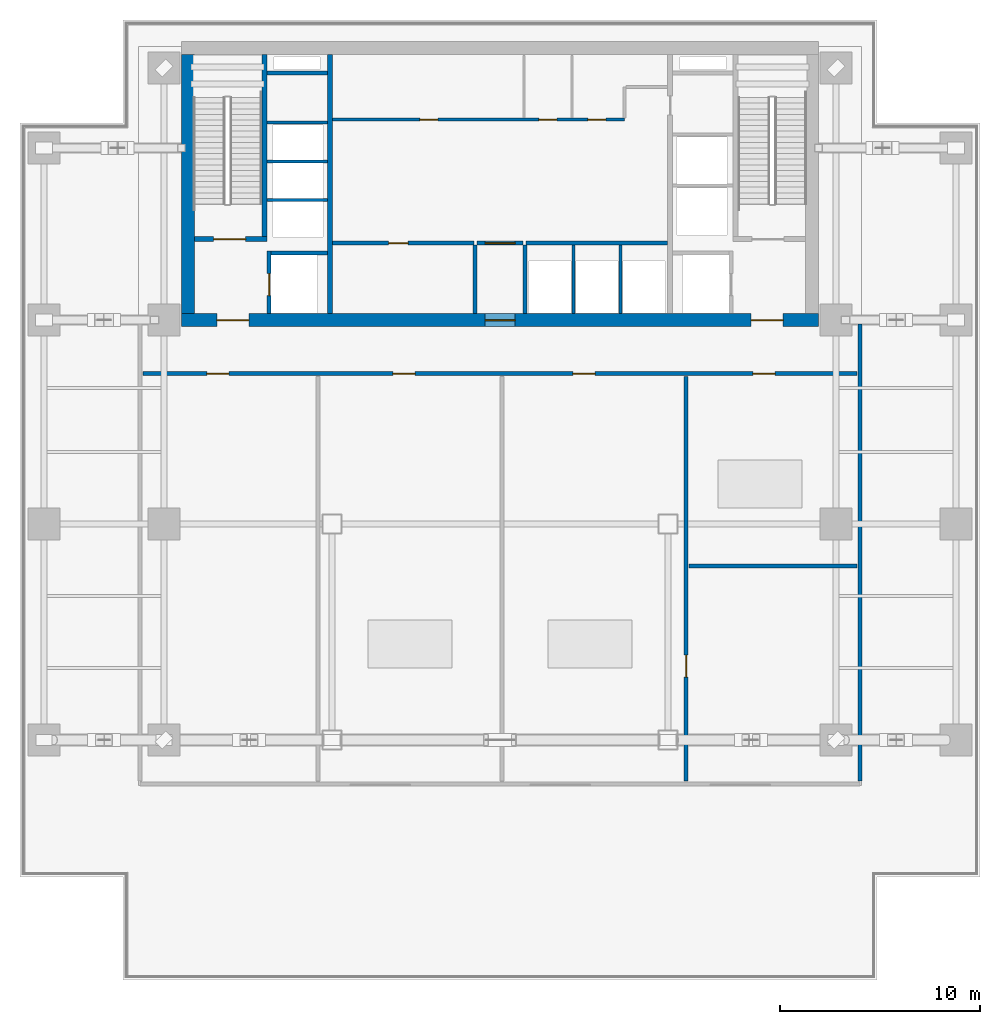
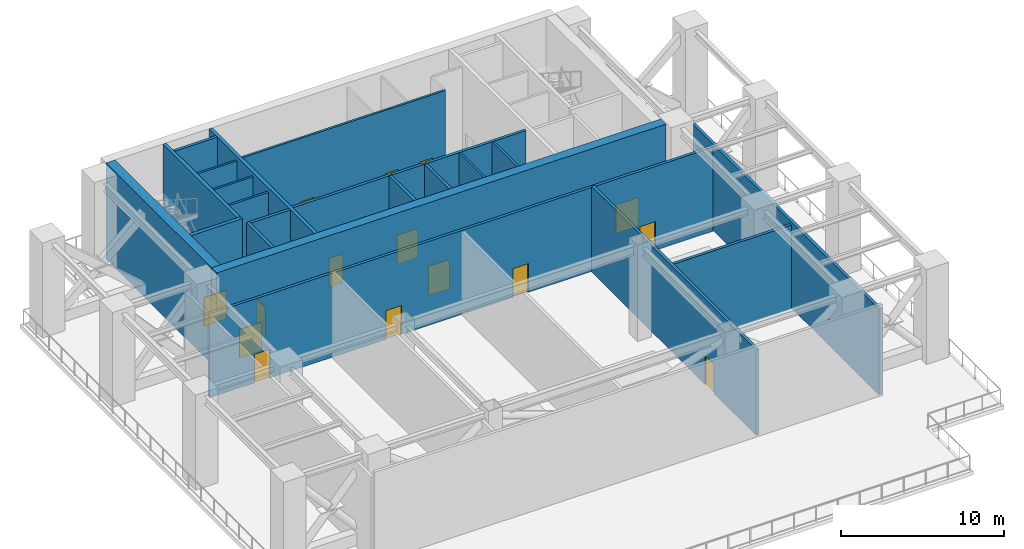
# One storey, part 3 of 8: 23 walls, 15 doors, 15 openings.
"""IFC4 building model written with IfcOpenShell, lengths in metres."""

from ifc_helpers import new_model, si_unit, direction, frame, frame_2d, origin, place, context, subcontext, project, spatial, rectangle, extrude, source, transform, mapped, material, layer, layer_set, type_object, element, fill, save


model = new_model("IFC4")

# Units and contexts
model_context = context("Model", 3, precision=1e-05, world=origin(), true_north=direction((0.0, 1.0)))
body_context = subcontext(model_context, "Body", "Model", "MODEL_VIEW")
ifc_project = project(units=[si_unit("LENGTHUNIT", "METRE"), si_unit("AREAUNIT", "SQUARE_METRE"), si_unit("VOLUMEUNIT", "CUBIC_METRE"), si_unit("PLANEANGLEUNIT", "RADIAN"), si_unit("MASSUNIT", "GRAM", prefix="KILO")], contexts=[model_context])

# Site, building, storey
site_placement = place(None, origin())
site = spatial("IfcSite", under=ifc_project, at=site_placement, CompositionType="ELEMENT")
building_placement = place(site_placement, origin())
building = spatial("IfcBuilding", under=site, at=building_placement, Name="Sumidabori Civic Tower", CompositionType="ELEMENT")
storey_placement = place(building_placement, frame((0.0, 0.0, 189.199951171875)))
storey = spatial("IfcBuildingStorey", under=building, at=storey_placement, Name="L49", CompositionType="ELEMENT", Elevation=189.199951171875)

# Wall, openings, doors
ifc_material_1 = material(Name="Concrete C60/75", Category="concrete")
ifc_layer_1 = layer(ifc_material_1, 0.64990234375, Name="Concrete C60/75")
ifc_layer_set_1 = layer_set([ifc_layer_1], Name="Concrete C60/75")
wall_type_1 = type_object("IfcWallType", Name="WL-CORE-650", PredefinedType="SHEAR", material=ifc_layer_set_1)
shared_shape_1 = source(origin(), body_context, "Body", "SweptSolid", [
    extrude(rectangle(XDim=31.85009765625, YDim=0.64990234375, at=frame_2d((15.925048828125, 0.0))), origin(), (0.0, 0.0, 1.0), 7.199951171875),
])
wall_1_placement = place(storey_placement, frame((-15.925048828125, 10.199951171875, 0.0), z_axis=(0.0, 0.0, 1.0), x_axis=(1.0, 0.0, 0.0)))
wall_1 = element("IfcWall", 1, at=wall_1_placement, inside=storey, type_object=wall_type_1, Name="Core Shear Wall L49 S", PredefinedType="SHEAR", context=body_context, shape_type="MappedRepresentation", body=[
    mapped(shared_shape_1, transform((0.0, 0.0, 0.0), x_axis=(1.0, 0.0, 0.0), y_axis=(0.0, 1.0, 0.0), z_axis=(0.0, 0.0, 1.0), scale=1.0)),
])
opening_1_placement = place(wall_1_placement, frame((1.77490234375, 0.0, 0.0)))
opening_1 = element("IfcOpeningElement", 2, at=opening_1_placement, cuts=wall_1, Name="Opening DR-FD4", PredefinedType="OPENING", context=body_context, shape_type="SweptSolid", body=[
    extrude(rectangle(XDim=1.60009765625, YDim=2.14990234375, at=frame_2d((0.800048828125, 1.074951171875))), frame((0.0, 0.3369140625, 0.0), z_axis=(0.0, -1.0, 0.0), x_axis=(1.0, 0.0, 0.0)), (0.0, 0.0, 1.0), 0.673828125),
])
opening_2_placement = place(wall_1_placement, frame((28.47509765625, 0.0, 0.0)))
opening_2 = element("IfcOpeningElement", 3, at=opening_2_placement, cuts=wall_1, Name="Opening DR-FD4", PredefinedType="OPENING", context=body_context, shape_type="SweptSolid", body=[
    extrude(rectangle(XDim=1.60009765625, YDim=2.14990234375, at=frame_2d((0.800048828125, 1.074951171875))), frame((0.0, 0.3369140625, 0.0), z_axis=(0.0, -1.0, 0.0), x_axis=(1.0, 0.0, 0.0)), (0.0, 0.0, 1.0), 0.673828125),
])
opening_3_placement = place(wall_1_placement, frame((15.175048828125, 0.0, 0.0)))
opening_3 = element("IfcOpeningElement", 4, at=opening_3_placement, cuts=wall_1, Name="Opening DR-FD3", PredefinedType="OPENING", context=body_context, shape_type="SweptSolid", body=[
    extrude(rectangle(XDim=1.5, YDim=2.199951171875, at=frame_2d((0.75, 1.10009765625))), frame((0.0, 0.3369140625, 0.0), z_axis=(0.0, -1.0, 0.0), x_axis=(1.0, 0.0, 0.0)), (0.0, 0.0, 1.0), 0.673828125),
])
ifc_material_2 = material(Name="Steel SN490", Category="steel")
door_type_1 = type_object("IfcDoorType", Name="DR-FD4", OperationType="DOUBLE_DOOR_SINGLE_SWING", PredefinedType="DOOR", material=ifc_material_2)
shared_shape_2 = source(origin(), body_context, "Body", "SweptSolid", [
    extrude(rectangle(XDim=1.60009765625, YDim=2.14990234375, at=frame_2d((0.800048828125, 1.074951171875))), frame((0.0, 0.02490234375, 0.0), z_axis=(0.0, -1.0, 0.0), x_axis=(1.0, 0.0, 0.0)), (0.0, 0.0, 1.0), 0.050048828125),
])
door_1_placement = place(opening_1_placement, origin())
door_1 = element("IfcDoor", 5, at=door_1_placement, inside=storey, type_object=door_type_1, Name="Door DR:L49:ELOB-W", OperationType="DOUBLE_DOOR_SINGLE_SWING", OverallHeight=2.14990234375, OverallWidth=1.60009765625, PredefinedType="DOOR", context=body_context, shape_type="MappedRepresentation", body=[
    mapped(shared_shape_2, transform((0.0, 0.0, 0.0), x_axis=(1.0, 0.0, 0.0), y_axis=(0.0, 1.0, 0.0), z_axis=(0.0, 0.0, 1.0), scale=1.0)),
])
fill(opening_1, door_1)
door_2_placement = place(opening_2_placement, origin())
door_2 = element("IfcDoor", 6, at=door_2_placement, inside=storey, type_object=door_type_1, Name="Door DR:L49:ELOB-E", OperationType="DOUBLE_DOOR_SINGLE_SWING", OverallHeight=2.14990234375, OverallWidth=1.60009765625, PredefinedType="DOOR", context=body_context, shape_type="MappedRepresentation", body=[
    mapped(shared_shape_2, transform((0.0, 0.0, 0.0), x_axis=(1.0, 0.0, 0.0), y_axis=(0.0, 1.0, 0.0), z_axis=(0.0, 0.0, 1.0), scale=1.0)),
])
fill(opening_2, door_2)
door_type_2 = type_object("IfcDoorType", Name="DR-FD-DBL", OperationType="DOUBLE_DOOR_SINGLE_SWING", PredefinedType="DOOR", material=ifc_material_2)
shared_shape_3 = source(origin(), body_context, "Body", "SweptSolid", [
    extrude(rectangle(XDim=1.5, YDim=2.199951171875, at=frame_2d((0.75, 1.10009765625))), frame((0.0, 0.02490234375, 0.0), z_axis=(0.0, -1.0, 0.0), x_axis=(1.0, 0.0, 0.0)), (0.0, 0.0, 1.0), 0.050048828125),
])
door_3_placement = place(opening_3_placement, origin())
door_3 = element("IfcDoor", 7, at=door_3_placement, inside=storey, type_object=door_type_2, Name="Door DR:L49:THROAT-OUT", OperationType="DOUBLE_DOOR_SINGLE_SWING", OverallHeight=2.199951171875, OverallWidth=1.5, PredefinedType="DOOR", context=body_context, shape_type="MappedRepresentation", body=[
    mapped(shared_shape_3, transform((0.0, 0.0, 0.0), x_axis=(1.0, 0.0, 0.0), y_axis=(0.0, 1.0, 0.0), z_axis=(0.0, 0.0, 1.0), scale=1.0)),
])
fill(opening_3, door_3)

# Walls
shared_shape_4 = source(origin(), body_context, "Body", "SweptSolid", [
    extrude(rectangle(XDim=12.9501953125, YDim=0.64990234375, at=frame_2d((6.47509765625, 0.0))), origin(), (0.0, 0.0, 1.0), 7.199951171875),
])
wall_2_placement = place(storey_placement, frame((-15.60009765625, 10.52490234375, 0.0), z_axis=(0.0, 0.0, 1.0), x_axis=(0.0, 1.0, 0.0)))
element("IfcWall", 8, at=wall_2_placement, inside=storey, type_object=wall_type_1, Name="Core Shear Wall L49 W", PredefinedType="SHEAR", context=body_context, shape_type="MappedRepresentation", body=[
    mapped(shared_shape_4, transform((0.0, 0.0, 0.0), x_axis=(1.0, 0.0, 0.0), y_axis=(0.0, 1.0, 0.0), z_axis=(0.0, 0.0, 1.0), scale=1.0)),
])
ifc_material_3 = material(Name="Concrete C50/60", Category="concrete")
ifc_layer_2 = layer(ifc_material_3, 0.25, Name="Concrete C50/60")
ifc_layer_set_2 = layer_set([ifc_layer_2], Name="Concrete C50/60")
wall_type_2 = type_object("IfcWallType", Name="WL-SHAFT-250", PredefinedType="SHEAR", material=ifc_layer_set_2)
shared_shape_5 = source(origin(), body_context, "Body", "SweptSolid", [
    extrude(rectangle(XDim=12.9501953125, YDim=0.25, at=frame_2d((6.47509765625, 0.0))), origin(), (0.0, 0.0, 1.0), 7.199951171875),
])
wall_3_placement = place(storey_placement, frame((-8.5, 10.52490234375, 0.0), z_axis=(0.0, 0.0, 1.0), x_axis=(0.0, 1.0, 0.0)))
element("IfcWall", 9, at=wall_3_placement, inside=storey, type_object=wall_type_2, Name="Core Shear Wall L49 WEB-W", PredefinedType="SHEAR", context=body_context, shape_type="MappedRepresentation", body=[
    mapped(shared_shape_5, transform((0.0, 0.0, 0.0), x_axis=(1.0, 0.0, 0.0), y_axis=(0.0, 1.0, 0.0), z_axis=(0.0, 0.0, 1.0), scale=1.0)),
])

# Wall, opening, door
shared_shape_6 = source(origin(), body_context, "Body", "SweptSolid", [
    extrude(rectangle(XDim=3.6298828125, YDim=0.25, at=frame_2d((1.81494140625, 0.0))), origin(), (0.0, 0.0, 1.0), 7.199951171875),
])
wall_4_placement = place(storey_placement, frame((-15.27490234375, 14.25, 0.0), z_axis=(0.0, 0.0, 1.0), x_axis=(1.0, 0.0, 0.0)))
wall_4 = element("IfcWall", 10, at=wall_4_placement, inside=storey, type_object=wall_type_2, Name="Core Shear Wall L49 ST1-S", PredefinedType="SHEAR", context=body_context, shape_type="MappedRepresentation", body=[
    mapped(shared_shape_6, transform((0.0, 0.0, 0.0), x_axis=(1.0, 0.0, 0.0), y_axis=(0.0, 1.0, 0.0), z_axis=(0.0, 0.0, 1.0), scale=1.0)),
])
opening_4_placement = place(wall_4_placement, frame((0.949951171875, 0.0, 0.0)))
opening_4 = element("IfcOpeningElement", 11, at=opening_4_placement, cuts=wall_4, Name="Opening DR-FD4", PredefinedType="OPENING", context=body_context, shape_type="SweptSolid", body=[
    extrude(rectangle(XDim=1.60009765625, YDim=2.14990234375, at=frame_2d((0.800048828125, 1.074951171875))), frame((0.0, 0.136962890625, 0.0), z_axis=(0.0, -1.0, 0.0), x_axis=(1.0, 0.0, 0.0)), (0.0, 0.0, 1.0), 0.27392578125),
])
door_4_placement = place(opening_4_placement, origin())
door_4 = element("IfcDoor", 12, at=door_4_placement, inside=storey, type_object=door_type_1, Name="Door DR:L49:ST1", OperationType="DOUBLE_DOOR_SINGLE_SWING", OverallHeight=2.14990234375, OverallWidth=1.60009765625, PredefinedType="DOOR", context=body_context, shape_type="MappedRepresentation", body=[
    mapped(shared_shape_2, transform((0.0, 0.0, 0.0), x_axis=(1.0, 0.0, 0.0), y_axis=(0.0, 1.0, 0.0), z_axis=(0.0, 0.0, 1.0), scale=1.0)),
])
fill(opening_4, door_4)

# Wall
shared_shape_7 = source(origin(), body_context, "Body", "SweptSolid", [
    extrude(rectangle(XDim=9.10009765625, YDim=0.25, at=frame_2d((4.550048828125, 0.0))), origin(), (0.0, 0.0, 1.0), 7.199951171875),
])
wall_5_placement = place(storey_placement, frame((-11.77001953125, 14.375, 0.0), z_axis=(0.0, 0.0, 1.0), x_axis=(0.0, 1.0, 0.0)))
element("IfcWall", 13, at=wall_5_placement, inside=storey, type_object=wall_type_2, Name="Core Shear Wall L49 ST1-E", PredefinedType="SHEAR", context=body_context, shape_type="MappedRepresentation", body=[
    mapped(shared_shape_7, transform((0.0, 0.0, 0.0), x_axis=(1.0, 0.0, 0.0), y_axis=(0.0, 1.0, 0.0), z_axis=(0.0, 0.0, 1.0), scale=1.0)),
])

# Wall, opening, door
ifc_layer_3 = layer(ifc_material_3, 0.199951171875, Name="Concrete C50/60")
ifc_layer_set_3 = layer_set([ifc_layer_3], Name="Concrete C50/60")
wall_type_3 = type_object("IfcWallType", Name="WL-SHAFT-200", PredefinedType="SHEAR", material=ifc_layer_set_3)
shared_shape_8 = source(origin(), body_context, "Body", "SweptSolid", [
    extrude(rectangle(XDim=3.125, YDim=0.199951171875, at=frame_2d((1.5625, 0.0))), origin(), (0.0, 0.0, 1.0), 7.199951171875),
])
wall_6_placement = place(storey_placement, frame((-11.550048828125, 10.52490234375, 0.0), z_axis=(0.0, 0.0, 1.0), x_axis=(0.0, 1.0, 0.0)))
wall_6 = element("IfcWall", 14, at=wall_6_placement, inside=storey, type_object=wall_type_3, Name="Core Shear Wall L49 EL1-W", PredefinedType="SHEAR", context=body_context, shape_type="MappedRepresentation", body=[
    mapped(shared_shape_8, transform((0.0, 0.0, 0.0), x_axis=(1.0, 0.0, 0.0), y_axis=(0.0, 1.0, 0.0), z_axis=(0.0, 0.0, 1.0), scale=1.0)),
])
opening_5_placement = place(wall_6_placement, frame((0.89990234375, 0.0, 0.0)))
opening_5 = element("IfcOpeningElement", 15, at=opening_5_placement, cuts=wall_6, Name="Opening LD-2", PredefinedType="OPENING", context=body_context, shape_type="SweptSolid", body=[
    extrude(rectangle(XDim=1.10009765625, YDim=2.14990234375, at=frame_2d((0.550048828125, 1.074951171875))), frame((0.0, 0.11181640625, 0.0), z_axis=(0.0, -1.0, 0.0), x_axis=(1.0, 0.0, 0.0)), (0.0, 0.0, 1.0), 0.223876953125),
])
ifc_material_4 = material(Name="Stainless Steel Hairline Finish", Category="steel")
door_type_3 = type_object("IfcDoorType", Name="DR-LD2", OperationType="DOUBLE_DOOR_SLIDING", PredefinedType="DOOR", material=ifc_material_4)
shared_shape_9 = source(origin(), body_context, "Body", "SweptSolid", [
    extrude(rectangle(XDim=1.10009765625, YDim=2.14990234375, at=frame_2d((0.550048828125, 1.074951171875))), frame((0.0, 0.02490234375, 0.0), z_axis=(0.0, -1.0, 0.0), x_axis=(1.0, 0.0, 0.0)), (0.0, 0.0, 1.0), 0.050048828125),
])
door_5_placement = place(opening_5_placement, origin())
door_5 = element("IfcDoor", 16, at=door_5_placement, inside=storey, type_object=door_type_3, Name="Door DR:L49:LD-EL1", OperationType="DOUBLE_DOOR_SLIDING", OverallHeight=2.14990234375, OverallWidth=1.10009765625, PredefinedType="DOOR", context=body_context, shape_type="MappedRepresentation", body=[
    mapped(shared_shape_9, transform((0.0, 0.0, 0.0), x_axis=(1.0, 0.0, 0.0), y_axis=(0.0, 1.0, 0.0), z_axis=(0.0, 0.0, 1.0), scale=1.0)),
])
fill(opening_5, door_5)

# Walls
shared_shape_10 = source(origin(), body_context, "Body", "SweptSolid", [
    extrude(rectangle(XDim=2.824951171875, YDim=0.199951171875, at=frame_2d((1.41259765625, 0.0))), origin(), (0.0, 0.0, 1.0), 7.199951171875),
])
wall_7_placement = place(storey_placement, frame((-11.449951171875, 13.550048828125, 0.0), z_axis=(0.0, 0.0, 1.0), x_axis=(1.0, 0.0, 0.0)))
element("IfcWall", 17, at=wall_7_placement, inside=storey, type_object=wall_type_3, Name="Core Shear Wall L49 EL1-N", PredefinedType="SHEAR", context=body_context, shape_type="MappedRepresentation", body=[
    mapped(shared_shape_10, transform((0.0, 0.0, 0.0), x_axis=(1.0, 0.0, 0.0), y_axis=(0.0, 1.0, 0.0), z_axis=(0.0, 0.0, 1.0), scale=1.0)),
])
shared_shape_11 = source(origin(), body_context, "Body", "SweptSolid", [
    extrude(rectangle(XDim=3.02001953125, YDim=0.199951171875, at=frame_2d((1.510009765625, 0.0))), origin(), (0.0, 0.0, 1.0), 7.199951171875),
])
wall_8_placement = place(storey_placement, frame((-11.64501953125, 22.550048828125, 0.0), z_axis=(0.0, 0.0, 1.0), x_axis=(1.0, 0.0, 0.0)))
element("IfcWall", 18, at=wall_8_placement, inside=storey, type_object=wall_type_3, Name="Core Shear Wall L49 RIS1-S", PredefinedType="SHEAR", context=body_context, shape_type="MappedRepresentation", body=[
    mapped(shared_shape_11, transform((0.0, 0.0, 0.0), x_axis=(1.0, 0.0, 0.0), y_axis=(0.0, 1.0, 0.0), z_axis=(0.0, 0.0, 1.0), scale=1.0)),
])
ifc_material_5 = material(Name="Gypsum Plasterboard Acoustic Partition")
ifc_layer_4 = layer(ifc_material_5, 0.14990234375, Name="Gypsum Plasterboard Acoustic Partition")
ifc_layer_set_4 = layer_set([ifc_layer_4], Name="Gypsum Plasterboard Acoustic Partition")
wall_type_4 = type_object("IfcWallType", Name="WL-PART-150", PredefinedType="PARTITIONING", material=ifc_layer_set_4)
shared_shape_12 = source(origin(), body_context, "Body", "SweptSolid", [
    extrude(rectangle(XDim=3.010009765625, YDim=0.14990234375, at=frame_2d((1.5048828125, 0.0))), origin(), (0.0, 0.0, 1.0), 6.900146484375),
])
for number, where, z_axis, x_axis, name in (
    (19, (-11.639892578125, 16.199951171875, 0.0), (0.0, 0.0, 1.0), (1.0, 0.0, 0.0), "Interior Partition WL:L49:DIV-PLH1"),
    (20, (-11.639892578125, 18.1201171875, 0.0), (0.0, 0.0, 1.0), (1.0, 0.0, 0.0), "Interior Partition WL:L49:DIV-PLH2"),
    (21, (-11.639892578125, 20.080078125, 0.0), (0.0, 0.0, 1.0), (1.0, 0.0, 0.0), "Interior Partition WL:L49:DIV-PLH3"),
):
    element("IfcWall", number, at=place(storey_placement, frame(where, z_axis=z_axis, x_axis=x_axis)), inside=storey, type_object=wall_type_4, Name=name, PredefinedType="PARTITIONING", context=body_context, shape_type="MappedRepresentation", body=[
        mapped(shared_shape_12, transform((0.0, 0.0, 0.0), x_axis=(1.0, 0.0, 0.0), y_axis=(0.0, 1.0, 0.0), z_axis=(0.0, 0.0, 1.0), scale=1.0)),
    ])

# Wall, opening, door
ifc_material_6 = material(Name="Gypsum Plasterboard Fire Partition")
ifc_layer_5 = layer(ifc_material_6, 0.199951171875, Name="Gypsum Plasterboard Fire Partition")
ifc_layer_set_5 = layer_set([ifc_layer_5], Name="Gypsum Plasterboard Fire Partition")
wall_type_5 = type_object("IfcWallType", Name="WL-PART-FIRE", PredefinedType="PARTITIONING", material=ifc_layer_set_5)
shared_shape_13 = source(origin(), body_context, "Body", "SweptSolid", [
    extrude(rectangle(XDim=7.070068359375, YDim=0.199951171875, at=frame_2d((3.53515625, 0.0))), origin(), (0.0, 0.0, 1.0), 6.900146484375),
])
wall_9_placement = place(storey_placement, frame((-8.3701171875, 14.050048828125, 0.0), z_axis=(0.0, 0.0, 1.0), x_axis=(1.0, 0.0, 0.0)))
wall_9 = element("IfcWall", 22, at=wall_9_placement, inside=storey, type_object=wall_type_5, Name="Interior Partition WL:L49:CBAND-SW", PredefinedType="PARTITIONING", context=body_context, shape_type="MappedRepresentation", body=[
    mapped(shared_shape_13, transform((0.0, 0.0, 0.0), x_axis=(1.0, 0.0, 0.0), y_axis=(0.0, 1.0, 0.0), z_axis=(0.0, 0.0, 1.0), scale=1.0)),
])
opening_6_placement = place(wall_9_placement, frame((2.800048828125, 0.0, 0.0)))
opening_6 = element("IfcOpeningElement", 23, at=opening_6_placement, cuts=wall_9, Name="Opening DR-3", PredefinedType="OPENING", context=body_context, shape_type="SweptSolid", body=[
    extrude(rectangle(XDim=0.97998046875, YDim=2.14990234375, at=frame_2d((0.489990234375, 1.074951171875))), frame((0.0, 0.11181640625, 0.0), z_axis=(0.0, -1.0, 0.0), x_axis=(1.0, 0.0, 0.0)), (0.0, 0.0, 1.0), 0.223876953125),
])
ifc_material_7 = material(Name="Japanese Hinoki Timber", Category="wood")
door_type_4 = type_object("IfcDoorType", Name="DR-INT-980", OperationType="NOTDEFINED", PredefinedType="DOOR", material=ifc_material_7)
shared_shape_14 = source(origin(), body_context, "Body", "SweptSolid", [
    extrude(rectangle(XDim=0.97998046875, YDim=2.14990234375, at=frame_2d((0.489990234375, 1.074951171875))), frame((0.0, 0.02490234375, 0.0), z_axis=(0.0, -1.0, 0.0), x_axis=(1.0, 0.0, 0.0)), (0.0, 0.0, 1.0), 0.050048828125),
])
door_6_placement = place(opening_6_placement, origin())
door_6 = element("IfcDoor", 24, at=door_6_placement, inside=storey, type_object=door_type_4, Name="Door DR:L49:REC-B1", OperationType="SINGLE_SWING_LEFT", OverallHeight=2.14990234375, OverallWidth=0.97998046875, PredefinedType="DOOR", context=body_context, shape_type="MappedRepresentation", body=[
    mapped(shared_shape_14, transform((0.0, 0.0, 0.0), x_axis=(1.0, 0.0, 0.0), y_axis=(0.0, 1.0, 0.0), z_axis=(0.0, 0.0, 1.0), scale=1.0)),
])
fill(opening_6, door_6)

# Wall
wall_10_placement = place(storey_placement, frame((1.300048828125, 14.050048828125, 0.0), z_axis=(0.0, 0.0, 1.0), x_axis=(1.0, 0.0, 0.0)))
element("IfcWall", 25, at=wall_10_placement, inside=storey, type_object=wall_type_5, Name="Interior Partition WL:L49:CBAND-SE", PredefinedType="PARTITIONING", context=body_context, shape_type="MappedRepresentation", body=[
    mapped(shared_shape_13, transform((0.0, 0.0, 0.0), x_axis=(1.0, 0.0, 0.0), y_axis=(0.0, 1.0, 0.0), z_axis=(0.0, 0.0, 1.0), scale=1.0)),
])

# Wall, opening, door
shared_shape_15 = source(origin(), body_context, "Body", "SweptSolid", [
    extrude(rectangle(XDim=2.2998046875, YDim=0.199951171875, at=frame_2d((1.14990234375, 0.0))), origin(), (0.0, 0.0, 1.0), 6.900146484375),
])
wall_11_placement = place(storey_placement, frame((-1.14990234375, 14.050048828125, 0.0), z_axis=(0.0, 0.0, 1.0), x_axis=(1.0, 0.0, 0.0)))
wall_11 = element("IfcWall", 26, at=wall_11_placement, inside=storey, type_object=wall_type_5, Name="Interior Partition WL:L49:THROAT-N", PredefinedType="PARTITIONING", context=body_context, shape_type="MappedRepresentation", body=[
    mapped(shared_shape_15, transform((0.0, 0.0, 0.0), x_axis=(1.0, 0.0, 0.0), y_axis=(0.0, 1.0, 0.0), z_axis=(0.0, 0.0, 1.0), scale=1.0)),
])
opening_7_placement = place(wall_11_placement, frame((0.39990234375, 0.0, 0.0)))
opening_7 = element("IfcOpeningElement", 27, at=opening_7_placement, cuts=wall_11, Name="Opening DR-FD3", PredefinedType="OPENING", context=body_context, shape_type="SweptSolid", body=[
    extrude(rectangle(XDim=1.5, YDim=2.199951171875, at=frame_2d((0.75, 1.10009765625))), frame((0.0, 0.11181640625, 0.0), z_axis=(0.0, -1.0, 0.0), x_axis=(1.0, 0.0, 0.0)), (0.0, 0.0, 1.0), 0.223876953125),
])
door_7_placement = place(opening_7_placement, origin())
door_7 = element("IfcDoor", 28, at=door_7_placement, inside=storey, type_object=door_type_2, Name="Door DR:L49:THROAT-IN", OperationType="DOUBLE_DOOR_SINGLE_SWING", OverallHeight=2.199951171875, OverallWidth=1.5, PredefinedType="DOOR", context=body_context, shape_type="MappedRepresentation", body=[
    mapped(shared_shape_3, transform((0.0, 0.0, 0.0), x_axis=(1.0, 0.0, 0.0), y_axis=(0.0, 1.0, 0.0), z_axis=(0.0, 0.0, 1.0), scale=1.0)),
])
fill(opening_7, door_7)

# Wall, openings, doors
shared_shape_16 = source(origin(), body_context, "Body", "SweptSolid", [
    extrude(rectangle(XDim=14.590087890625, YDim=0.14990234375, at=frame_2d((7.294921875, 0.0))), origin(), (0.0, 0.0, 1.0), 6.900146484375),
])
wall_12_placement = place(storey_placement, frame((-8.3701171875, 20.219970703125, 0.0), z_axis=(0.0, 0.0, 1.0), x_axis=(1.0, 0.0, 0.0)))
wall_12 = element("IfcWall", 29, at=wall_12_placement, inside=storey, type_object=wall_type_4, Name="Interior Partition WL:L49:CBAND-M", PredefinedType="PARTITIONING", context=body_context, shape_type="MappedRepresentation", body=[
    mapped(shared_shape_16, transform((0.0, 0.0, 0.0), x_axis=(1.0, 0.0, 0.0), y_axis=(0.0, 1.0, 0.0), z_axis=(0.0, 0.0, 1.0), scale=1.0)),
])
opening_8_placement = place(wall_12_placement, frame((4.360107421875, 0.0, 0.0)))
opening_8 = element("IfcOpeningElement", 30, at=opening_8_placement, cuts=wall_12, Name="Opening DR-1", PredefinedType="OPENING", context=body_context, shape_type="SweptSolid", body=[
    extrude(rectangle(XDim=0.89990234375, YDim=2.14990234375, at=frame_2d((0.449951171875, 1.074951171875))), frame((0.0, 0.0869140625, 0.0), z_axis=(0.0, -1.0, 0.0), x_axis=(1.0, 0.0, 0.0)), (0.0, 0.0, 1.0), 0.173828125),
])
opening_9_placement = place(wall_12_placement, frame((10.320068359375, 0.0, 0.0)))
opening_9 = element("IfcOpeningElement", 31, at=opening_9_placement, cuts=wall_12, Name="Opening DR-1", PredefinedType="OPENING", context=body_context, shape_type="SweptSolid", body=[
    extrude(rectangle(XDim=0.89990234375, YDim=2.14990234375, at=frame_2d((0.449951171875, 1.074951171875))), frame((0.0, 0.0869140625, 0.0), z_axis=(0.0, -1.0, 0.0), x_axis=(1.0, 0.0, 0.0)), (0.0, 0.0, 1.0), 0.173828125),
])
opening_10_placement = place(wall_12_placement, frame((12.77001953125, 0.0, 0.0)))
opening_10 = element("IfcOpeningElement", 32, at=opening_10_placement, cuts=wall_12, Name="Opening DR-1", PredefinedType="OPENING", context=body_context, shape_type="SweptSolid", body=[
    extrude(rectangle(XDim=0.89990234375, YDim=2.14990234375, at=frame_2d((0.449951171875, 1.074951171875))), frame((0.0, 0.0869140625, 0.0), z_axis=(0.0, -1.0, 0.0), x_axis=(1.0, 0.0, 0.0)), (0.0, 0.0, 1.0), 0.173828125),
])
door_type_5 = type_object("IfcDoorType", Name="DR-INT-900", OperationType="NOTDEFINED", PredefinedType="DOOR", material=ifc_material_7)
shared_shape_17 = source(origin(), body_context, "Body", "SweptSolid", [
    extrude(rectangle(XDim=0.89990234375, YDim=2.14990234375, at=frame_2d((0.449951171875, 1.074951171875))), frame((0.0, 0.02490234375, 0.0), z_axis=(0.0, -1.0, 0.0), x_axis=(1.0, 0.0, 0.0)), (0.0, 0.0, 1.0), 0.050048828125),
])
door_8_placement = place(opening_8_placement, origin())
door_8 = element("IfcDoor", 33, at=door_8_placement, inside=storey, type_object=door_type_5, Name="Door DR:L49:CB-1", OperationType="SINGLE_SWING_LEFT", OverallHeight=2.14990234375, OverallWidth=0.89990234375, PredefinedType="DOOR", context=body_context, shape_type="MappedRepresentation", body=[
    mapped(shared_shape_17, transform((0.0, 0.0, 0.0), x_axis=(1.0, 0.0, 0.0), y_axis=(0.0, 1.0, 0.0), z_axis=(0.0, 0.0, 1.0), scale=1.0)),
])
fill(opening_8, door_8)
door_9_placement = place(opening_9_placement, origin())
door_9 = element("IfcDoor", 34, at=door_9_placement, inside=storey, type_object=door_type_5, Name="Door DR:L49:CB-2", OperationType="SINGLE_SWING_RIGHT", OverallHeight=2.14990234375, OverallWidth=0.89990234375, PredefinedType="DOOR", context=body_context, shape_type="MappedRepresentation", body=[
    mapped(shared_shape_17, transform((0.0, 0.0, 0.0), x_axis=(1.0, 0.0, 0.0), y_axis=(0.0, 1.0, 0.0), z_axis=(0.0, 0.0, 1.0), scale=1.0)),
])
fill(opening_9, door_9)
door_10_placement = place(opening_10_placement, origin())
door_10 = element("IfcDoor", 35, at=door_10_placement, inside=storey, type_object=door_type_5, Name="Door DR:L49:CB-3", OperationType="SINGLE_SWING_LEFT", OverallHeight=2.14990234375, OverallWidth=0.89990234375, PredefinedType="DOOR", context=body_context, shape_type="MappedRepresentation", body=[
    mapped(shared_shape_17, transform((0.0, 0.0, 0.0), x_axis=(1.0, 0.0, 0.0), y_axis=(0.0, 1.0, 0.0), z_axis=(0.0, 0.0, 1.0), scale=1.0)),
])
fill(opening_10, door_10)

shared_shape_18 = source(origin(), body_context, "Body", "SweptSolid", [
    extrude(rectangle(XDim=35.7001953125, YDim=0.199951171875, at=frame_2d((17.85009765625, 0.0))), origin(), (0.0, 0.0, 1.0), 6.28515625),
])
wall_13_placement = place(storey_placement, frame((-17.85009765625, 7.52001953125, 0.0), z_axis=(0.0, 0.0, 1.0), x_axis=(1.0, 0.0, 0.0)))
wall_13 = element("IfcWall", 36, at=wall_13_placement, inside=storey, type_object=wall_type_5, Name="Interior Partition WL:L49:PCORR-S", PredefinedType="PARTITIONING", context=body_context, shape_type="MappedRepresentation", body=[
    mapped(shared_shape_18, transform((0.0, 0.0, 0.0), x_axis=(1.0, 0.0, 0.0), y_axis=(0.0, 1.0, 0.0), z_axis=(0.0, 0.0, 1.0), scale=1.0)),
])
opening_11_placement = place(wall_13_placement, frame((3.199951171875, 0.0, 0.0)))
opening_11 = element("IfcOpeningElement", 37, at=opening_11_placement, cuts=wall_13, Name="Opening DR-FD1", PredefinedType="OPENING", context=body_context, shape_type="SweptSolid", body=[
    extrude(rectangle(XDim=1.10009765625, YDim=2.14990234375, at=frame_2d((0.550048828125, 1.074951171875))), frame((0.0, 0.11181640625, 0.0), z_axis=(0.0, -1.0, 0.0), x_axis=(1.0, 0.0, 0.0)), (0.0, 0.0, 1.0), 0.223876953125),
])
opening_12_placement = place(wall_13_placement, frame((12.5, 0.0, 0.0)))
opening_12 = element("IfcOpeningElement", 38, at=opening_12_placement, cuts=wall_13, Name="Opening DR-FD1", PredefinedType="OPENING", context=body_context, shape_type="SweptSolid", body=[
    extrude(rectangle(XDim=1.10009765625, YDim=2.14990234375, at=frame_2d((0.550048828125, 1.074951171875))), frame((0.0, 0.11181640625, 0.0), z_axis=(0.0, -1.0, 0.0), x_axis=(1.0, 0.0, 0.0)), (0.0, 0.0, 1.0), 0.223876953125),
])
opening_13_placement = place(wall_13_placement, frame((21.5, 0.0, 0.0)))
opening_13 = element("IfcOpeningElement", 39, at=opening_13_placement, cuts=wall_13, Name="Opening DR-FD1", PredefinedType="OPENING", context=body_context, shape_type="SweptSolid", body=[
    extrude(rectangle(XDim=1.10009765625, YDim=2.14990234375, at=frame_2d((0.550048828125, 1.074951171875))), frame((0.0, 0.11181640625, 0.0), z_axis=(0.0, -1.0, 0.0), x_axis=(1.0, 0.0, 0.0)), (0.0, 0.0, 1.0), 0.223876953125),
])
opening_14_placement = place(wall_13_placement, frame((30.5, 0.0, 0.0)))
opening_14 = element("IfcOpeningElement", 40, at=opening_14_placement, cuts=wall_13, Name="Opening DR-FD1", PredefinedType="OPENING", context=body_context, shape_type="SweptSolid", body=[
    extrude(rectangle(XDim=1.10009765625, YDim=2.14990234375, at=frame_2d((0.550048828125, 1.074951171875))), frame((0.0, 0.11181640625, 0.0), z_axis=(0.0, -1.0, 0.0), x_axis=(1.0, 0.0, 0.0)), (0.0, 0.0, 1.0), 0.223876953125),
])
door_type_6 = type_object("IfcDoorType", Name="DR-FD1", OperationType="NOTDEFINED", PredefinedType="DOOR", material=ifc_material_2)
shared_shape_19 = source(origin(), body_context, "Body", "SweptSolid", [
    extrude(rectangle(XDim=1.10009765625, YDim=2.14990234375, at=frame_2d((0.550048828125, 1.074951171875))), frame((0.0, 0.02490234375, 0.0), z_axis=(0.0, -1.0, 0.0), x_axis=(1.0, 0.0, 0.0)), (0.0, 0.0, 1.0), 0.050048828125),
])
door_11_placement = place(opening_11_placement, origin())
door_11 = element("IfcDoor", 41, at=door_11_placement, inside=storey, type_object=door_type_6, Name="Door DR:L49:PL-1", OperationType="SINGLE_SWING_LEFT", OverallHeight=2.14990234375, OverallWidth=1.10009765625, PredefinedType="DOOR", context=body_context, shape_type="MappedRepresentation", body=[
    mapped(shared_shape_19, transform((0.0, 0.0, 0.0), x_axis=(1.0, 0.0, 0.0), y_axis=(0.0, 1.0, 0.0), z_axis=(0.0, 0.0, 1.0), scale=1.0)),
])
fill(opening_11, door_11)
door_12_placement = place(opening_12_placement, origin())
door_12 = element("IfcDoor", 42, at=door_12_placement, inside=storey, type_object=door_type_6, Name="Door DR:L49:PL-2", OperationType="SINGLE_SWING_RIGHT", OverallHeight=2.14990234375, OverallWidth=1.10009765625, PredefinedType="DOOR", context=body_context, shape_type="MappedRepresentation", body=[
    mapped(shared_shape_19, transform((0.0, 0.0, 0.0), x_axis=(1.0, 0.0, 0.0), y_axis=(0.0, 1.0, 0.0), z_axis=(0.0, 0.0, 1.0), scale=1.0)),
])
fill(opening_12, door_12)
door_13_placement = place(opening_13_placement, origin())
door_13 = element("IfcDoor", 43, at=door_13_placement, inside=storey, type_object=door_type_6, Name="Door DR:L49:PL-3", OperationType="SINGLE_SWING_LEFT", OverallHeight=2.14990234375, OverallWidth=1.10009765625, PredefinedType="DOOR", context=body_context, shape_type="MappedRepresentation", body=[
    mapped(shared_shape_19, transform((0.0, 0.0, 0.0), x_axis=(1.0, 0.0, 0.0), y_axis=(0.0, 1.0, 0.0), z_axis=(0.0, 0.0, 1.0), scale=1.0)),
])
fill(opening_13, door_13)
door_14_placement = place(opening_14_placement, origin())
door_14 = element("IfcDoor", 44, at=door_14_placement, inside=storey, type_object=door_type_6, Name="Door DR:L49:PL-4", OperationType="SINGLE_SWING_RIGHT", OverallHeight=2.14990234375, OverallWidth=1.10009765625, PredefinedType="DOOR", context=body_context, shape_type="MappedRepresentation", body=[
    mapped(shared_shape_19, transform((0.0, 0.0, 0.0), x_axis=(1.0, 0.0, 0.0), y_axis=(0.0, 1.0, 0.0), z_axis=(0.0, 0.0, 1.0), scale=1.0)),
])
fill(opening_14, door_14)

# Walls
shared_shape_20 = source(origin(), body_context, "Body", "SweptSolid", [
    extrude(rectangle(XDim=8.400146484375, YDim=0.199951171875, at=frame_2d((4.2001953125, 0.0))), origin(), (0.0, 0.0, 1.0), 6.28515625),
])
wall_14_placement = place(storey_placement, frame((9.449951171875, -2.10009765625, 0.0), z_axis=(0.0, 0.0, 1.0), x_axis=(1.0, 0.0, 0.0)))
element("IfcWall", 45, at=wall_14_placement, inside=storey, type_object=wall_type_5, Name="Interior Partition WL:L49:PDIV-4", PredefinedType="PARTITIONING", context=body_context, shape_type="MappedRepresentation", body=[
    mapped(shared_shape_20, transform((0.0, 0.0, 0.0), x_axis=(1.0, 0.0, 0.0), y_axis=(0.0, 1.0, 0.0), z_axis=(0.0, 0.0, 1.0), scale=1.0)),
])
shared_shape_21 = source(origin(), body_context, "Body", "SweptSolid", [
    extrude(rectangle(XDim=3.4150390625, YDim=0.199951171875, at=frame_2d((1.70751953125, 0.0))), origin(), (0.0, 0.0, 1.0), 6.900146484375),
])
for number, where, z_axis, x_axis, name in (
    (46, (-1.25, 10.52490234375, 0.0), (0.0, 0.0, 1.0), (0.0, 1.0, 0.0), "Interior Partition WL:L49:THROAT-W"),
    (47, (1.25, 10.52490234375, 0.0), (0.0, 0.0, 1.0), (0.0, 1.0, 0.0), "Interior Partition WL:L49:THROAT-E"),
):
    element("IfcWall", number, at=place(storey_placement, frame(where, z_axis=z_axis, x_axis=x_axis)), inside=storey, type_object=wall_type_5, Name=name, PredefinedType="PARTITIONING", context=body_context, shape_type="MappedRepresentation", body=[
        mapped(shared_shape_21, transform((0.0, 0.0, 0.0), x_axis=(1.0, 0.0, 0.0), y_axis=(0.0, 1.0, 0.0), z_axis=(0.0, 0.0, 1.0), scale=1.0)),
    ])
shared_shape_22 = source(origin(), body_context, "Body", "SweptSolid", [
    extrude(rectangle(XDim=3.4150390625, YDim=0.14990234375, at=frame_2d((1.70751953125, 0.0))), origin(), (0.0, 0.0, 1.0), 6.900146484375),
])
for number, where, z_axis, x_axis, name in (
    (48, (3.669921875, 10.52490234375, 0.0), (0.0, 0.0, 1.0), (0.0, 1.0, 0.0), "Interior Partition WL:L49:DIV-PLM1"),
    (49, (6.02001953125, 10.52490234375, 0.0), (0.0, 0.0, 1.0), (0.0, 1.0, 0.0), "Interior Partition WL:L49:DIV-PLM2"),
):
    element("IfcWall", number, at=place(storey_placement, frame(where, z_axis=z_axis, x_axis=x_axis)), inside=storey, type_object=wall_type_4, Name=name, PredefinedType="PARTITIONING", context=body_context, shape_type="MappedRepresentation", body=[
        mapped(shared_shape_22, transform((0.0, 0.0, 0.0), x_axis=(1.0, 0.0, 0.0), y_axis=(0.0, 1.0, 0.0), z_axis=(0.0, 0.0, 1.0), scale=1.0)),
    ])
shared_shape_23 = source(origin(), body_context, "Body", "SweptSolid", [
    extrude(rectangle(XDim=22.85009765625, YDim=0.199951171875, at=frame_2d((11.425048828125, 0.0))), origin(), (0.0, 0.0, 1.0), 6.43505859375),
])
wall_15_placement = place(storey_placement, frame((18.0, -12.85009765625, 0.0), z_axis=(0.0, 0.0, 1.0), x_axis=(0.0, 1.0, 0.0)))
element("IfcWall", 50, at=wall_15_placement, inside=storey, type_object=wall_type_5, Name="Interior Partition WL:L49:PL-E", PredefinedType="PARTITIONING", context=body_context, shape_type="MappedRepresentation", body=[
    mapped(shared_shape_23, transform((0.0, 0.0, 0.0), x_axis=(1.0, 0.0, 0.0), y_axis=(0.0, 1.0, 0.0), z_axis=(0.0, 0.0, 1.0), scale=1.0)),
])

# Wall, opening, door
shared_shape_24 = source(origin(), body_context, "Body", "SweptSolid", [
    extrude(rectangle(XDim=20.22998046875, YDim=0.199951171875, at=frame_2d((10.114990234375, 0.0))), origin(), (0.0, 0.0, 1.0), 6.43505859375),
])
wall_16_placement = place(storey_placement, frame((9.300048828125, -12.85009765625, 0.0), z_axis=(0.0, 0.0, 1.0), x_axis=(0.0, 1.0, 0.0)))
wall_16 = element("IfcWall", 51, at=wall_16_placement, inside=storey, type_object=wall_type_5, Name="Interior Partition WL:L49:PDIV-3", PredefinedType="PARTITIONING", context=body_context, shape_type="MappedRepresentation", body=[
    mapped(shared_shape_24, transform((0.0, 0.0, 0.0), x_axis=(1.0, 0.0, 0.0), y_axis=(0.0, 1.0, 0.0), z_axis=(0.0, 0.0, 1.0), scale=1.0)),
])
opening_15_placement = place(wall_16_placement, frame((5.199951171875, 0.0, 0.0)))
opening_15 = element("IfcOpeningElement", 52, at=opening_15_placement, cuts=wall_16, Name="Opening DR-FD1", PredefinedType="OPENING", context=body_context, shape_type="SweptSolid", body=[
    extrude(rectangle(XDim=1.10009765625, YDim=2.14990234375, at=frame_2d((0.550048828125, 1.074951171875))), frame((0.0, 0.11181640625, 0.0), z_axis=(0.0, -1.0, 0.0), x_axis=(1.0, 0.0, 0.0)), (0.0, 0.0, 1.0), 0.223876953125),
])
door_15_placement = place(opening_15_placement, origin())
door_15 = element("IfcDoor", 53, at=door_15_placement, inside=storey, type_object=door_type_6, Name="Door DR:L49:PMP", OperationType="SINGLE_SWING_LEFT", OverallHeight=2.14990234375, OverallWidth=1.10009765625, PredefinedType="DOOR", context=body_context, shape_type="MappedRepresentation", body=[
    mapped(shared_shape_19, transform((0.0, 0.0, 0.0), x_axis=(1.0, 0.0, 0.0), y_axis=(0.0, 1.0, 0.0), z_axis=(0.0, 0.0, 1.0), scale=1.0)),
])
fill(opening_15, door_15)

save(model, "model.ifc")
